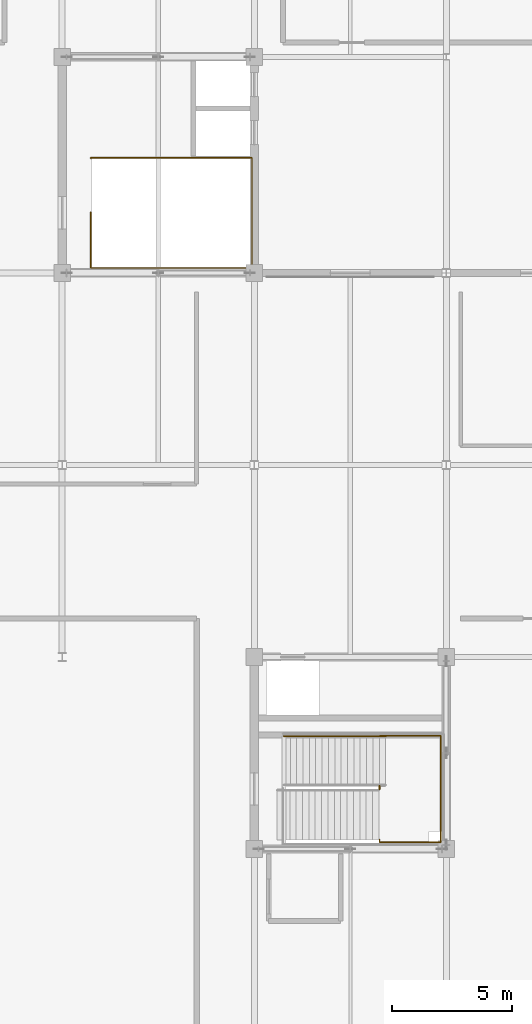
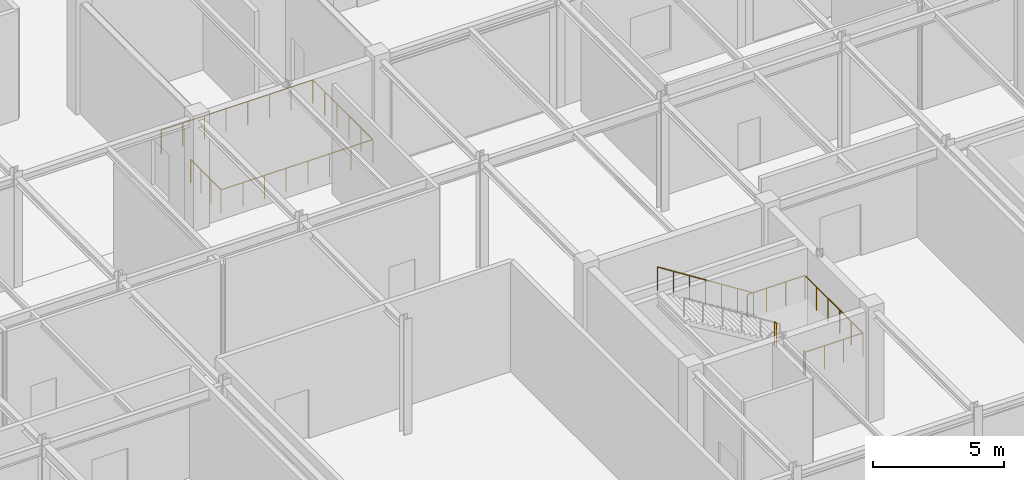
# One storey, part 104 of 108: 4 railings.
"""IFC4 building model written with IfcOpenShell, lengths in metres."""

from ifc_helpers import new_model, si_unit, direction, frame, origin, origin_2d, place, context, subcontext, project, spatial, circle, extrude, material, type_object, element, save


model = new_model("IFC4")

# Units and contexts
model_context = context("Model", 3, precision=1e-05, world=origin(), true_north=direction((0.0, 1.0)))
body_context = subcontext(model_context, "Body", "Model", "MODEL_VIEW")
ifc_project = project(units=[si_unit("LENGTHUNIT", "METRE"), si_unit("AREAUNIT", "SQUARE_METRE"), si_unit("VOLUMEUNIT", "CUBIC_METRE"), si_unit("PLANEANGLEUNIT", "RADIAN"), si_unit("MASSUNIT", "GRAM", prefix="KILO")], contexts=[model_context])

# Site, building, storey
site_placement = place(None, origin())
site = spatial("IfcSite", under=ifc_project, at=site_placement, CompositionType="ELEMENT")
building_placement = place(site_placement, origin())
building = spatial("IfcBuilding", under=site, at=building_placement, Name="Zhaolan Boulevard Law Courts", CompositionType="ELEMENT")
storey_placement = place(building_placement, frame((0.0, 0.0, 10.800048828125)))
storey = spatial("IfcBuildingStorey", under=building, at=storey_placement, Name="L02", CompositionType="ELEMENT", Elevation=10.800048828125)

# Railings
ifc_material = material(Name="Powder-coated steel baluster guardrail", Category="steel")
railing_type = type_object("IfcRailingType", Name="STAIR WELL GUARDRAIL 1120", PredefinedType="GUARDRAIL", material=ifc_material)
railing_1_placement = place(storey_placement, frame((89.219970703125, 70.39990234375, 2.699951171875)))
element("IfcRailing", 1, at=railing_1_placement, inside=storey, type_object=railing_type, Name="Half-Landing Guardrail SG-ST08-L02-M", PredefinedType="GUARDRAIL", context=body_context, shape_type="SweptSolid", body=[
    extrude(circle(Radius=0.02392578125, at=origin_2d()), frame((0.0, 0.0, 1.09619140625), z_axis=(0.0, -1.0, 0.0), x_axis=(1.0, 0.0, 0.0)), (0.0, 0.0, 1.0), 0.119873046875),
    extrude(circle(Radius=0.02392578125, at=origin_2d()), frame((0.0, -0.119873046875, 1.09619140625), z_axis=(1.0, 0.0, 0.0), x_axis=(0.0, 1.0, 0.0)), (0.0, 0.0, 1.0), 2.550048828125),
    extrude(circle(Radius=0.02392578125, at=origin_2d()), frame((2.550048828125, -0.119873046875, 1.09619140625), z_axis=(0.0, 1.0, 0.0), x_axis=(-1.0, 0.0, 0.0)), (0.0, 0.0, 1.0), 4.43994140625),
    extrude(circle(Radius=0.02392578125, at=origin_2d()), frame((2.550048828125, 4.320068359375, 1.09619140625), z_axis=(-1.0, 0.0, 0.0), x_axis=(0.0, -1.0, 0.0)), (0.0, 0.0, 1.0), 2.550048828125),
    extrude(circle(Radius=0.02099609375, at=origin_2d()), origin(), (0.0, 0.0, 1.0), 1.072021484375),
    extrude(circle(Radius=0.02099609375, at=origin_2d()), frame((0.0, -0.119873046875, 0.0)), (0.0, 0.0, 1.0), 1.072021484375),
    extrude(circle(Radius=0.02099609375, at=origin_2d()), frame((0.85009765625, -0.119873046875, 0.0)), (0.0, 0.0, 1.0), 1.072021484375),
    extrude(circle(Radius=0.02099609375, at=origin_2d()), frame((1.699951171875, -0.119873046875, 0.0)), (0.0, 0.0, 1.0), 1.072021484375),
    extrude(circle(Radius=0.02099609375, at=origin_2d()), frame((2.550048828125, -0.119873046875, 0.0)), (0.0, 0.0, 1.0), 1.072021484375),
    extrude(circle(Radius=0.02099609375, at=origin_2d()), frame((2.550048828125, 0.76806640625, 0.0)), (0.0, 0.0, 1.0), 1.072021484375),
    extrude(circle(Radius=0.02099609375, at=origin_2d()), frame((2.550048828125, 1.656005859375, 0.0)), (0.0, 0.0, 1.0), 1.072021484375),
    extrude(circle(Radius=0.02099609375, at=origin_2d()), frame((2.550048828125, 2.544189453125, 0.0)), (0.0, 0.0, 1.0), 1.072021484375),
    extrude(circle(Radius=0.02099609375, at=origin_2d()), frame((2.550048828125, 3.43212890625, 0.0)), (0.0, 0.0, 1.0), 1.072021484375),
    extrude(circle(Radius=0.02099609375, at=origin_2d()), frame((2.550048828125, 4.320068359375, 0.0)), (0.0, 0.0, 1.0), 1.072021484375),
    extrude(circle(Radius=0.02099609375, at=origin_2d()), frame((1.699951171875, 4.320068359375, 0.0)), (0.0, 0.0, 1.0), 1.072021484375),
    extrude(circle(Radius=0.02099609375, at=origin_2d()), frame((0.85009765625, 4.320068359375, 0.0)), (0.0, 0.0, 1.0), 1.072021484375),
    extrude(circle(Radius=0.02099609375, at=origin_2d()), frame((0.0, 4.320068359375, 0.0)), (0.0, 0.0, 1.0), 1.072021484375),
])
railing_2_placement = place(storey_placement, frame((89.219970703125, 72.489990234375, 2.699951171875)))
element("IfcRailing", 2, at=railing_2_placement, inside=storey, type_object=railing_type, Name="Half-Landing Well Guardrail SG-ST08-L02-W", PredefinedType="GUARDRAIL", context=body_context, shape_type="SweptSolid", body=[
    extrude(circle(Radius=0.02392578125, at=origin_2d()), frame((0.0, 0.0, 1.09619140625), z_axis=(0.0, 1.0, 0.0), x_axis=(-1.0, 0.0, 0.0)), (0.0, 0.0, 1.0), 0.139892578125),
    extrude(circle(Radius=0.02099609375, at=origin_2d()), origin(), (0.0, 0.0, 1.0), 1.072021484375),
    extrude(circle(Radius=0.02099609375, at=origin_2d()), frame((0.0, 0.139892578125, 0.0)), (0.0, 0.0, 1.0), 1.072021484375),
])
railing_3_placement = place(storey_placement, frame((89.47509765625, 74.699951171875, 2.699951171875)))
element("IfcRailing", 3, at=railing_3_placement, inside=storey, type_object=railing_type, Name="Flight Guardrail SG-ST08-L02-F2", PredefinedType="GUARDRAIL", context=body_context, shape_type="SweptSolid", body=[
    extrude(circle(Radius=0.02392578125, at=origin_2d()), frame((0.0, 0.0, 1.09619140625), z_axis=(-0.843501457581, 0.0, 0.537126885437), x_axis=(0.0, -1.0, 0.0)), (0.0, 0.0, 1.0), 5.026611328125),
    extrude(circle(Radius=0.02099609375, at=origin_2d()), origin(), (0.0, 0.0, 1.0), 1.072021484375),
    extrude(circle(Radius=0.02099609375, at=origin_2d()), frame((-0.70654296875, 0.0, 0.449951171875)), (0.0, 0.0, 1.0), 1.072021484375),
    extrude(circle(Radius=0.02099609375, at=origin_2d()), frame((-1.413330078125, 0.0, 0.89990234375)), (0.0, 0.0, 1.0), 1.072021484375),
    extrude(circle(Radius=0.02099609375, at=origin_2d()), frame((-2.1201171875, 0.0, 1.35009765625)), (0.0, 0.0, 1.0), 1.072021484375),
    extrude(circle(Radius=0.02099609375, at=origin_2d()), frame((-2.82666015625, 0.0, 1.800048828125)), (0.0, 0.0, 1.0), 1.072021484375),
    extrude(circle(Radius=0.02099609375, at=origin_2d()), frame((-3.533203125, 0.0, 2.25)), (0.0, 0.0, 1.0), 1.072021484375),
    extrude(circle(Radius=0.02099609375, at=origin_2d()), frame((-4.239990234375, 0.0, 2.699951171875)), (0.0, 0.0, 1.0), 1.072021484375),
])
railing_4_placement = place(storey_placement, frame((77.18994140625, 96.530029296875, 0.0)))
element("IfcRailing", 4, at=railing_4_placement, inside=storey, type_object=railing_type, Name="Stair-Well Floor Guardrail WG-ST11-L01", PredefinedType="GUARDRAIL", context=body_context, shape_type="SweptSolid", body=[
    extrude(circle(Radius=0.02392578125, at=origin_2d()), frame((0.0, 0.0, 1.09619140625), z_axis=(0.0, -1.0, 0.0), x_axis=(1.0, 0.0, 0.0)), (0.0, 0.0, 1.0), 2.330078125),
    extrude(circle(Radius=0.02392578125, at=origin_2d()), frame((0.0, -2.330078125, 1.09619140625), z_axis=(1.0, 0.0, 0.0), x_axis=(0.0, 1.0, 0.0)), (0.0, 0.0, 1.0), 6.7099609375),
    extrude(circle(Radius=0.02392578125, at=origin_2d()), frame((6.7099609375, -2.330078125, 1.09619140625), z_axis=(0.0, 1.0, 0.0), x_axis=(-1.0, 0.0, 0.0)), (0.0, 0.0, 1.0), 4.60009765625),
    extrude(circle(Radius=0.02392578125, at=origin_2d()), frame((6.7099609375, 2.27001953125, 1.09619140625), z_axis=(-1.0, 0.0, 0.0), x_axis=(0.0, -1.0, 0.0)), (0.0, 0.0, 1.0), 6.7099609375),
    extrude(circle(Radius=0.02392578125, at=origin_2d()), frame((0.0, 2.27001953125, 1.09619140625), z_axis=(0.0, -1.0, 0.0), x_axis=(1.0, 0.0, 0.0)), (0.0, 0.0, 1.0), 0.0400390625),
    extrude(circle(Radius=0.02099609375, at=origin_2d()), origin(), (0.0, 0.0, 1.0), 1.072021484375),
    extrude(circle(Radius=0.02099609375, at=origin_2d()), frame((0.0, -0.776611328125, 0.0)), (0.0, 0.0, 1.0), 1.072021484375),
    extrude(circle(Radius=0.02099609375, at=origin_2d()), frame((0.0, -1.553466796875, 0.0)), (0.0, 0.0, 1.0), 1.072021484375),
    extrude(circle(Radius=0.02099609375, at=origin_2d()), frame((0.0, -2.330078125, 0.0)), (0.0, 0.0, 1.0), 1.072021484375),
    extrude(circle(Radius=0.02099609375, at=origin_2d()), frame((0.95849609375, -2.330078125, 0.0)), (0.0, 0.0, 1.0), 1.072021484375),
    extrude(circle(Radius=0.02099609375, at=origin_2d()), frame((1.917236328125, -2.330078125, 0.0)), (0.0, 0.0, 1.0), 1.072021484375),
    extrude(circle(Radius=0.02099609375, at=origin_2d()), frame((2.875732421875, -2.330078125, 0.0)), (0.0, 0.0, 1.0), 1.072021484375),
    extrude(circle(Radius=0.02099609375, at=origin_2d()), frame((3.834228515625, -2.330078125, 0.0)), (0.0, 0.0, 1.0), 1.072021484375),
    extrude(circle(Radius=0.02099609375, at=origin_2d()), frame((4.792724609375, -2.330078125, 0.0)), (0.0, 0.0, 1.0), 1.072021484375),
    extrude(circle(Radius=0.02099609375, at=origin_2d()), frame((5.75146484375, -2.330078125, 0.0)), (0.0, 0.0, 1.0), 1.072021484375),
    extrude(circle(Radius=0.02099609375, at=origin_2d()), frame((6.7099609375, -2.330078125, 0.0)), (0.0, 0.0, 1.0), 1.072021484375),
    extrude(circle(Radius=0.02099609375, at=origin_2d()), frame((6.7099609375, -1.41015625, 0.0)), (0.0, 0.0, 1.0), 1.072021484375),
    extrude(circle(Radius=0.02099609375, at=origin_2d()), frame((6.7099609375, -0.489990234375, 0.0)), (0.0, 0.0, 1.0), 1.072021484375),
    extrude(circle(Radius=0.02099609375, at=origin_2d()), frame((6.7099609375, 0.429931640625, 0.0)), (0.0, 0.0, 1.0), 1.072021484375),
    extrude(circle(Radius=0.02099609375, at=origin_2d()), frame((6.7099609375, 1.35009765625, 0.0)), (0.0, 0.0, 1.0), 1.072021484375),
    extrude(circle(Radius=0.02099609375, at=origin_2d()), frame((6.7099609375, 2.27001953125, 0.0)), (0.0, 0.0, 1.0), 1.072021484375),
    extrude(circle(Radius=0.02099609375, at=origin_2d()), frame((5.75146484375, 2.27001953125, 0.0)), (0.0, 0.0, 1.0), 1.072021484375),
    extrude(circle(Radius=0.02099609375, at=origin_2d()), frame((4.792724609375, 2.27001953125, 0.0)), (0.0, 0.0, 1.0), 1.072021484375),
    extrude(circle(Radius=0.02099609375, at=origin_2d()), frame((3.834228515625, 2.27001953125, 0.0)), (0.0, 0.0, 1.0), 1.072021484375),
    extrude(circle(Radius=0.02099609375, at=origin_2d()), frame((2.875732421875, 2.27001953125, 0.0)), (0.0, 0.0, 1.0), 1.072021484375),
    extrude(circle(Radius=0.02099609375, at=origin_2d()), frame((1.917236328125, 2.27001953125, 0.0)), (0.0, 0.0, 1.0), 1.072021484375),
    extrude(circle(Radius=0.02099609375, at=origin_2d()), frame((0.95849609375, 2.27001953125, 0.0)), (0.0, 0.0, 1.0), 1.072021484375),
    extrude(circle(Radius=0.02099609375, at=origin_2d()), frame((0.0, 2.27001953125, 0.0)), (0.0, 0.0, 1.0), 1.072021484375),
    extrude(circle(Radius=0.02099609375, at=origin_2d()), frame((0.0, 2.22998046875, 0.0)), (0.0, 0.0, 1.0), 1.072021484375),
])

save(model, "model.ifc")
